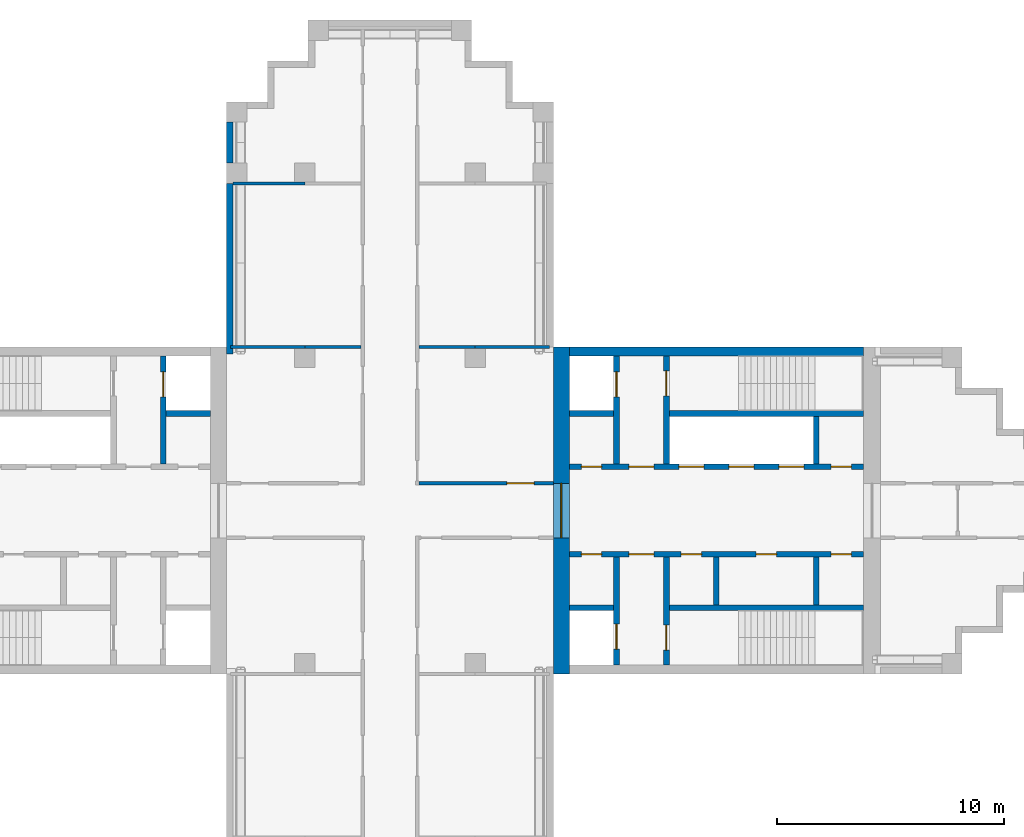
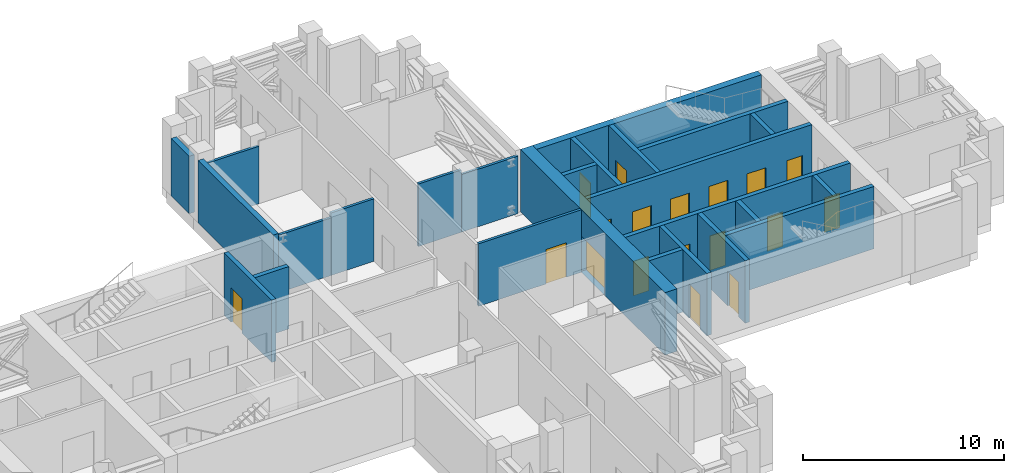
# One storey, part 5 of 8: 25 walls, 18 doors, 18 openings.
"""IFC4 building model written with IfcOpenShell, lengths in metres."""

from ifc_helpers import new_model, si_unit, direction, frame, frame_2d, origin, place, context, subcontext, project, spatial, rectangle, extrude, material, layer, layer_set, type_object, element, fill, save


model = new_model("IFC4")

# Units and contexts
model_context = context("Model", 3, precision=1e-05, world=origin(), true_north=direction((0.0, 1.0)))
body_context = subcontext(model_context, "Body", "Model", "MODEL_VIEW")
ifc_project = project(units=[si_unit("LENGTHUNIT", "METRE"), si_unit("AREAUNIT", "SQUARE_METRE"), si_unit("VOLUMEUNIT", "CUBIC_METRE"), si_unit("PLANEANGLEUNIT", "RADIAN"), si_unit("MASSUNIT", "GRAM", prefix="KILO")], contexts=[model_context])

# Site, building, storey
site_placement = place(None, origin())
site = spatial("IfcSite", under=ifc_project, at=site_placement, CompositionType="ELEMENT")
building_placement = place(site_placement, origin())
building = spatial("IfcBuilding", under=site, at=building_placement, Name="Fustian Cross Tower", CompositionType="ELEMENT")
storey_placement = place(building_placement, frame((0.0, 0.0, 194.699951171875)))
storey = spatial("IfcBuildingStorey", under=building, at=storey_placement, Name="L61", CompositionType="ELEMENT", Elevation=194.699951171875)

# Walls
ifc_material_1 = material(Name="Plasterboard on steel stud", Category="steel")
ifc_layer_1 = layer(ifc_material_1, 0.14990234375)
ifc_layer_set_1 = layer_set([ifc_layer_1], Name="Plasterboard on steel stud")
wall_type_1 = type_object("IfcWallType", Name="COMPARTMENT WALL 150 EI 60", PredefinedType="PARTITIONING", material=ifc_layer_set_1)
wall_1_placement = place(storey_placement, frame((-7.02001953125, 7.199951171875, 0.0), z_axis=(0.0, 0.0, 1.0), x_axis=(1.0, 0.0, 0.0)))
element("IfcWall", 1, at=wall_1_placement, inside=storey, type_object=wall_type_1, Name="Partition 10", PredefinedType="PARTITIONING", context=body_context, shape_type="SweptSolid", body=[
    extrude(rectangle(XDim=3.27001953125, YDim=0.14990234375, at=frame_2d((1.635009765625, 0.0))), origin(), (0.0, 0.0, 1.0), 3.5),
])
wall_2_placement = place(storey_placement, frame((-6.89990234375, 14.39990234375, 0.0), z_axis=(0.0, 0.0, 1.0), x_axis=(1.0, 0.0, 0.0)))
element("IfcWall", 2, at=wall_2_placement, inside=storey, type_object=wall_type_1, Name="Partition 11", PredefinedType="PARTITIONING", context=body_context, shape_type="SweptSolid", body=[
    extrude(rectangle(XDim=3.14990234375, YDim=0.14990234375, at=frame_2d((1.574951171875, 0.0))), origin(), (0.0, 0.0, 1.0), 3.5),
])

# Wall, opening, door
wall_3_placement = place(storey_placement, frame((1.27490234375, 1.199951171875, 0.0), z_axis=(0.0, 0.0, 1.0), x_axis=(1.0, 0.0, 0.0)))
wall_3 = element("IfcWall", 3, at=wall_3_placement, inside=storey, type_object=wall_type_1, Name="Partition 19", PredefinedType="PARTITIONING", context=body_context, shape_type="SweptSolid", body=[
    extrude(rectangle(XDim=5.925048828125, YDim=0.14990234375, at=frame_2d((2.96240234375, 0.0))), origin(), (0.0, 0.0, 1.0), 3.800048828125),
])
opening_1_placement = place(wall_3_placement, frame((3.875, 0.0, 0.0)))
opening_1 = element("IfcOpeningElement", 4, at=opening_1_placement, cuts=wall_3, Name="Opening D28003", PredefinedType="OPENING", context=body_context, shape_type="SweptSolid", body=[
    extrude(rectangle(XDim=1.199951171875, YDim=2.10009765625, at=frame_2d((0.60009765625, 1.050048828125))), frame((0.0, 0.0849609375, 0.0), z_axis=(0.0, -1.0, 0.0), x_axis=(1.0, 0.0, 0.0)), (0.0, 0.0, 1.0), 0.169921875),
])
ifc_material_2 = material(Name="Timber fire door set", Category="wood")
door_type_1 = type_object("IfcDoorType", Name="FIRE SWING DOOR 1200 FD60S", OperationType="SINGLE_SWING_LEFT", PredefinedType="DOOR", material=ifc_material_2)
door_1_placement = place(opening_1_placement, frame((1.199951171875, 0.0, 0.0), z_axis=(0.0, 0.0, 1.0), x_axis=(-1.0, 0.0, 0.0)))
door_1 = element("IfcDoor", 5, at=door_1_placement, inside=storey, type_object=door_type_1, Name="Door D28003", OperationType="SINGLE_SWING_LEFT", OverallHeight=2.10009765625, OverallWidth=1.199951171875, PredefinedType="DOOR", context=body_context, shape_type="SweptSolid", body=[
    extrude(rectangle(XDim=1.199951171875, YDim=2.10009765625, at=frame_2d((0.60009765625, 1.050048828125))), frame((0.0, 0.02490234375, 0.0), z_axis=(0.0, -1.0, 0.0), x_axis=(1.0, 0.0, 0.0)), (0.0, 0.0, 1.0), 0.050048828125),
])
fill(opening_1, door_1)

# Walls
for number, where, z_axis, x_axis, name in (
    (6, (1.27490234375, 7.199951171875, 0.0), (0.0, 0.0, 1.0), (1.0, 0.0, 0.0), "Partition 20"),
    (7, (-3.75, 7.199951171875, 0.0), (0.0, 0.0, 1.0), (1.0, 0.0, 0.0), "Partition 10"),
):
    element("IfcWall", number, at=place(storey_placement, frame(where, z_axis=z_axis, x_axis=x_axis)), inside=storey, type_object=wall_type_1, Name=name, PredefinedType="PARTITIONING", context=body_context, shape_type="SweptSolid", body=[
        extrude(rectangle(XDim=2.47509765625, YDim=0.14990234375, at=frame_2d((1.237548828125, 0.0))), origin(), (0.0, 0.0, 1.0), 3.800048828125),
    ])
wall_4_placement = place(storey_placement, frame((3.75, 7.199951171875, 0.0), z_axis=(0.0, 0.0, 1.0), x_axis=(1.0, 0.0, 0.0)))
element("IfcWall", 8, at=wall_4_placement, inside=storey, type_object=wall_type_1, Name="Partition 20", PredefinedType="PARTITIONING", context=body_context, shape_type="SweptSolid", body=[
    extrude(rectangle(XDim=3.27001953125, YDim=0.14990234375, at=frame_2d((1.635009765625, 0.0))), origin(), (0.0, 0.0, 1.0), 3.5),
])

# Wall, opening, door
ifc_material_3 = material(Name="Concrete C50/60", Category="concrete")
ifc_layer_2 = layer(ifc_material_3, 0.699951171875)
ifc_layer_set_2 = layer_set([ifc_layer_2], Name="Concrete C50/60")
wall_type_2 = type_object("IfcWallType", Name="CORE END WALL 700 C50/60", PredefinedType="SHEAR", material=ifc_layer_set_2)
wall_5_placement = place(storey_placement, frame((7.550048828125, -7.199951171875, 0.0), z_axis=(0.0, 0.0, 1.0), x_axis=(0.0, 1.0, 0.0)))
wall_5 = element("IfcWall", 9, at=wall_5_placement, inside=storey, type_object=wall_type_2, Name="Core end wall", PredefinedType="SHEAR", context=body_context, shape_type="SweptSolid", body=[
    extrude(rectangle(XDim=14.39990234375, YDim=0.699951171875, at=frame_2d((7.199951171875, 0.0))), origin(), (0.0, 0.0, 1.0), 3.800048828125),
])
opening_2_placement = place(wall_5_placement, frame((6.0, 0.0, 0.0)))
opening_2 = element("IfcOpeningElement", 10, at=opening_2_placement, cuts=wall_5, Name="Opening CD-26-12", PredefinedType="OPENING", context=body_context, shape_type="SweptSolid", body=[
    extrude(rectangle(XDim=2.39990234375, YDim=2.199951171875, at=frame_2d((1.199951171875, 1.10009765625))), frame((0.0, 0.35986328125, 0.0), z_axis=(0.0, -1.0, 0.0), x_axis=(1.0, 0.0, 0.0)), (0.0, 0.0, 1.0), 0.719970703125),
])
ifc_material_4 = material(Name="Steel", Category="steel")
door_type_2 = type_object("IfcDoorType", Name="FIRE DOOR FD30S DOUBLE 2400X2200", OperationType="DOUBLE_DOOR_DOUBLE_SWING", PredefinedType="DOOR", material=ifc_material_4)
door_2_placement = place(opening_2_placement, frame((2.39990234375, 0.0, 0.0), z_axis=(0.0, 0.0, 1.0), x_axis=(-1.0, 0.0, 0.0)))
door_2 = element("IfcDoor", 11, at=door_2_placement, inside=storey, type_object=door_type_2, Name="Core door CD-26-12", OperationType="DOUBLE_DOOR_DOUBLE_SWING", OverallHeight=2.199951171875, OverallWidth=2.39990234375, PredefinedType="DOOR", context=body_context, shape_type="SweptSolid", body=[
    extrude(rectangle(XDim=2.39990234375, YDim=2.199951171875, at=frame_2d((1.199951171875, 1.10009765625))), frame((0.0, 0.02490234375, 0.0), z_axis=(0.0, -1.0, 0.0), x_axis=(1.0, 0.0, 0.0)), (0.0, 0.0, 1.0), 0.050048828125),
])
fill(opening_2, door_2)

# Wall
ifc_material_5 = material(Name="Concrete C50/60", Category="concrete")
ifc_layer_3 = layer(ifc_material_5, 0.39990234375)
ifc_layer_set_3 = layer_set([ifc_layer_3], Name="Concrete C50/60")
wall_type_3 = type_object("IfcWallType", Name="CORE FACADE WALL 400 C50/60", PredefinedType="SHEAR", material=ifc_layer_set_3)
wall_6_placement = place(storey_placement, frame((7.89990234375, 7.0, 0.0), z_axis=(0.0, 0.0, 1.0), x_axis=(1.0, 0.0, 0.0)))
element("IfcWall", 12, at=wall_6_placement, inside=storey, type_object=wall_type_3, Name="Core facade wall", PredefinedType="SHEAR", context=body_context, shape_type="SweptSolid", body=[
    extrude(rectangle(XDim=12.9501953125, YDim=0.39990234375, at=frame_2d((6.47509765625, 0.0))), origin(), (0.0, 0.0, 1.0), 3.800048828125),
])

# Wall, openings, doors
ifc_material_6 = material(Name="Concrete C50/60", Category="concrete")
ifc_layer_4 = layer(ifc_material_6, 0.25)
ifc_layer_set_4 = layer_set([ifc_layer_4], Name="Concrete C50/60")
wall_type_4 = type_object("IfcWallType", Name="CORE LOBBY WALL 250 C50/60", PredefinedType="SHEAR", material=ifc_layer_set_4)
wall_7_placement = place(storey_placement, frame((7.89990234375, 1.925048828125, 0.0), z_axis=(0.0, 0.0, 1.0), x_axis=(1.0, 0.0, 0.0)))
wall_7 = element("IfcWall", 13, at=wall_7_placement, inside=storey, type_object=wall_type_4, Name="Core lobby wall", PredefinedType="SHEAR", context=body_context, shape_type="SweptSolid", body=[
    extrude(rectangle(XDim=12.9501953125, YDim=0.25, at=frame_2d((6.47509765625, 0.0))), origin(), (0.0, 0.0, 1.0), 3.800048828125),
])
opening_3_placement = place(wall_7_placement, frame((4.824951171875, 0.0, 0.0)))
opening_3 = element("IfcOpeningElement", 14, at=opening_3_placement, cuts=wall_7, Name="Opening LD", PredefinedType="OPENING", context=body_context, shape_type="SweptSolid", body=[
    extrude(rectangle(XDim=1.10009765625, YDim=2.10009765625, at=frame_2d((0.550048828125, 1.050048828125))), frame((0.0, 0.135009765625, 0.0), z_axis=(0.0, -1.0, 0.0), x_axis=(1.0, 0.0, 0.0)), (0.0, 0.0, 1.0), 0.27001953125),
])
opening_4_placement = place(wall_7_placement, frame((7.02490234375, 0.0, 0.0)))
opening_4 = element("IfcOpeningElement", 15, at=opening_4_placement, cuts=wall_7, Name="Opening LD", PredefinedType="OPENING", context=body_context, shape_type="SweptSolid", body=[
    extrude(rectangle(XDim=1.10009765625, YDim=2.10009765625, at=frame_2d((0.550048828125, 1.050048828125))), frame((0.0, 0.135009765625, 0.0), z_axis=(0.0, -1.0, 0.0), x_axis=(1.0, 0.0, 0.0)), (0.0, 0.0, 1.0), 0.27001953125),
])
opening_5_placement = place(wall_7_placement, frame((9.22509765625, 0.0, 0.0)))
opening_5 = element("IfcOpeningElement", 16, at=opening_5_placement, cuts=wall_7, Name="Opening LD", PredefinedType="OPENING", context=body_context, shape_type="SweptSolid", body=[
    extrude(rectangle(XDim=1.10009765625, YDim=2.10009765625, at=frame_2d((0.550048828125, 1.050048828125))), frame((0.0, 0.135009765625, 0.0), z_axis=(0.0, -1.0, 0.0), x_axis=(1.0, 0.0, 0.0)), (0.0, 0.0, 1.0), 0.27001953125),
])
opening_6_placement = place(wall_7_placement, frame((0.52490234375, 0.0, 0.0)))
opening_6 = element("IfcOpeningElement", 17, at=opening_6_placement, cuts=wall_7, Name="Opening CD-26-08", PredefinedType="OPENING", context=body_context, shape_type="SweptSolid", body=[
    extrude(rectangle(XDim=0.89990234375, YDim=2.10009765625, at=frame_2d((0.449951171875, 1.050048828125))), frame((0.0, 0.135009765625, 0.0), z_axis=(0.0, -1.0, 0.0), x_axis=(1.0, 0.0, 0.0)), (0.0, 0.0, 1.0), 0.27001953125),
])
opening_7_placement = place(wall_7_placement, frame((2.625, 0.0, 0.0)))
opening_7 = element("IfcOpeningElement", 18, at=opening_7_placement, cuts=wall_7, Name="Opening CD-26-10", PredefinedType="OPENING", context=body_context, shape_type="SweptSolid", body=[
    extrude(rectangle(XDim=1.10009765625, YDim=2.10009765625, at=frame_2d((0.550048828125, 1.050048828125))), frame((0.0, 0.135009765625, 0.0), z_axis=(0.0, -1.0, 0.0), x_axis=(1.0, 0.0, 0.0)), (0.0, 0.0, 1.0), 0.27001953125),
])
opening_8_placement = place(wall_7_placement, frame((11.52490234375, 0.0, 0.0)))
opening_8 = element("IfcOpeningElement", 19, at=opening_8_placement, cuts=wall_7, Name="Opening CD-26-14", PredefinedType="OPENING", context=body_context, shape_type="SweptSolid", body=[
    extrude(rectangle(XDim=0.89990234375, YDim=2.10009765625, at=frame_2d((0.449951171875, 1.050048828125))), frame((0.0, 0.135009765625, 0.0), z_axis=(0.0, -1.0, 0.0), x_axis=(1.0, 0.0, 0.0)), (0.0, 0.0, 1.0), 0.27001953125),
])
ifc_material_7 = material(Name="Steel", Category="steel")
door_type_3 = type_object("IfcDoorType", Name="FIRE DOOR FD30S 900X2100", OperationType="SINGLE_SWING_LEFT", PredefinedType="DOOR", material=ifc_material_7)
door_3_placement = place(opening_8_placement, origin())
door_3 = element("IfcDoor", 20, at=door_3_placement, inside=storey, type_object=door_type_3, Name="Core door CD-26-14", OperationType="SINGLE_SWING_LEFT", OverallHeight=2.10009765625, OverallWidth=0.89990234375, PredefinedType="DOOR", context=body_context, shape_type="SweptSolid", body=[
    extrude(rectangle(XDim=0.89990234375, YDim=2.10009765625, at=frame_2d((0.449951171875, 1.050048828125))), frame((0.0, 0.02490234375, 0.0), z_axis=(0.0, -1.0, 0.0), x_axis=(1.0, 0.0, 0.0)), (0.0, 0.0, 1.0), 0.050048828125),
])
fill(opening_8, door_3)
ifc_material_8 = material(Name="Steel", Category="steel")
door_type_4 = type_object("IfcDoorType", Name="FIRE DOOR FD60S 1100X2100", OperationType="SINGLE_SWING_LEFT", PredefinedType="DOOR", material=ifc_material_8)
door_4_placement = place(opening_7_placement, frame((1.10009765625, 0.0, 0.0), z_axis=(0.0, 0.0, 1.0), x_axis=(-1.0, 0.0, 0.0)))
door_4 = element("IfcDoor", 21, at=door_4_placement, inside=storey, type_object=door_type_4, Name="Core door CD-26-10", OperationType="SINGLE_SWING_RIGHT", OverallHeight=2.10009765625, OverallWidth=1.10009765625, PredefinedType="DOOR", context=body_context, shape_type="SweptSolid", body=[
    extrude(rectangle(XDim=1.10009765625, YDim=2.10009765625, at=frame_2d((0.550048828125, 1.050048828125))), frame((0.0, 0.02490234375, 0.0), z_axis=(0.0, -1.0, 0.0), x_axis=(1.0, 0.0, 0.0)), (0.0, 0.0, 1.0), 0.050048828125),
])
fill(opening_7, door_4)
ifc_material_9 = material(Name="Steel", Category="steel")
door_type_5 = type_object("IfcDoorType", Name="FIRE DOOR FD60S 900X2100", OperationType="SINGLE_SWING_LEFT", PredefinedType="DOOR", material=ifc_material_9)
door_5_placement = place(opening_6_placement, origin())
door_5 = element("IfcDoor", 22, at=door_5_placement, inside=storey, type_object=door_type_5, Name="Core door CD-26-08", OperationType="SINGLE_SWING_LEFT", OverallHeight=2.10009765625, OverallWidth=0.89990234375, PredefinedType="DOOR", context=body_context, shape_type="SweptSolid", body=[
    extrude(rectangle(XDim=0.89990234375, YDim=2.10009765625, at=frame_2d((0.449951171875, 1.050048828125))), frame((0.0, 0.02490234375, 0.0), z_axis=(0.0, -1.0, 0.0), x_axis=(1.0, 0.0, 0.0)), (0.0, 0.0, 1.0), 0.050048828125),
])
fill(opening_6, door_5)
ifc_material_10 = material(Name="Stainless steel", Category="steel")
door_type_6 = type_object("IfcDoorType", Name="LIFT LANDING DOOR 1100X2100", OperationType="SLIDING_TO_LEFT", PredefinedType="DOOR", material=ifc_material_10)
door_6_placement = place(opening_3_placement, origin())
door_6 = element("IfcDoor", 23, at=door_6_placement, inside=storey, type_object=door_type_6, Name="Landing door HR1", OperationType="SLIDING_TO_LEFT", OverallHeight=2.10009765625, OverallWidth=1.10009765625, PredefinedType="DOOR", context=body_context, shape_type="SweptSolid", body=[
    extrude(rectangle(XDim=1.10009765625, YDim=2.10009765625, at=frame_2d((0.550048828125, 1.050048828125))), frame((0.0, 0.02490234375, 0.0), z_axis=(0.0, -1.0, 0.0), x_axis=(1.0, 0.0, 0.0)), (0.0, 0.0, 1.0), 0.050048828125),
])
fill(opening_3, door_6)
door_7_placement = place(opening_4_placement, origin())
door_7 = element("IfcDoor", 24, at=door_7_placement, inside=storey, type_object=door_type_6, Name="Landing door HR2", OperationType="SLIDING_TO_LEFT", OverallHeight=2.10009765625, OverallWidth=1.10009765625, PredefinedType="DOOR", context=body_context, shape_type="SweptSolid", body=[
    extrude(rectangle(XDim=1.10009765625, YDim=2.10009765625, at=frame_2d((0.550048828125, 1.050048828125))), frame((0.0, 0.02490234375, 0.0), z_axis=(0.0, -1.0, 0.0), x_axis=(1.0, 0.0, 0.0)), (0.0, 0.0, 1.0), 0.050048828125),
])
fill(opening_4, door_7)
door_8_placement = place(opening_5_placement, origin())
door_8 = element("IfcDoor", 25, at=door_8_placement, inside=storey, type_object=door_type_6, Name="Landing door HR3", OperationType="SLIDING_TO_LEFT", OverallHeight=2.10009765625, OverallWidth=1.10009765625, PredefinedType="DOOR", context=body_context, shape_type="SweptSolid", body=[
    extrude(rectangle(XDim=1.10009765625, YDim=2.10009765625, at=frame_2d((0.550048828125, 1.050048828125))), frame((0.0, 0.02490234375, 0.0), z_axis=(0.0, -1.0, 0.0), x_axis=(1.0, 0.0, 0.0)), (0.0, 0.0, 1.0), 0.050048828125),
])
fill(opening_5, door_8)

wall_8_placement = place(storey_placement, frame((7.89990234375, -1.925048828125, 0.0), z_axis=(0.0, 0.0, 1.0), x_axis=(1.0, 0.0, 0.0)))
wall_8 = element("IfcWall", 26, at=wall_8_placement, inside=storey, type_object=wall_type_4, Name="Core lobby wall", PredefinedType="SHEAR", context=body_context, shape_type="SweptSolid", body=[
    extrude(rectangle(XDim=12.9501953125, YDim=0.25, at=frame_2d((6.47509765625, 0.0))), origin(), (0.0, 0.0, 1.0), 3.800048828125),
])
opening_9_placement = place(wall_8_placement, frame((0.52490234375, 0.0, 0.0)))
opening_9 = element("IfcOpeningElement", 27, at=opening_9_placement, cuts=wall_8, Name="Opening CD-26-09", PredefinedType="OPENING", context=body_context, shape_type="SweptSolid", body=[
    extrude(rectangle(XDim=0.89990234375, YDim=2.10009765625, at=frame_2d((0.449951171875, 1.050048828125))), frame((0.0, 0.135009765625, 0.0), z_axis=(0.0, -1.0, 0.0), x_axis=(1.0, 0.0, 0.0)), (0.0, 0.0, 1.0), 0.27001953125),
])
opening_10_placement = place(wall_8_placement, frame((2.625, 0.0, 0.0)))
opening_10 = element("IfcOpeningElement", 28, at=opening_10_placement, cuts=wall_8, Name="Opening CD-26-11", PredefinedType="OPENING", context=body_context, shape_type="SweptSolid", body=[
    extrude(rectangle(XDim=1.10009765625, YDim=2.10009765625, at=frame_2d((0.550048828125, 1.050048828125))), frame((0.0, 0.135009765625, 0.0), z_axis=(0.0, -1.0, 0.0), x_axis=(1.0, 0.0, 0.0)), (0.0, 0.0, 1.0), 0.27001953125),
])
opening_11_placement = place(wall_8_placement, frame((4.925048828125, 0.0, 0.0)))
opening_11 = element("IfcOpeningElement", 29, at=opening_11_placement, cuts=wall_8, Name="Opening CD-26-15", PredefinedType="OPENING", context=body_context, shape_type="SweptSolid", body=[
    extrude(rectangle(XDim=0.89990234375, YDim=2.10009765625, at=frame_2d((0.449951171875, 1.050048828125))), frame((0.0, 0.135009765625, 0.0), z_axis=(0.0, -1.0, 0.0), x_axis=(1.0, 0.0, 0.0)), (0.0, 0.0, 1.0), 0.27001953125),
])
opening_12_placement = place(wall_8_placement, frame((8.22509765625, 0.0, 0.0)))
opening_12 = element("IfcOpeningElement", 30, at=opening_12_placement, cuts=wall_8, Name="Opening CD-26-16", PredefinedType="OPENING", context=body_context, shape_type="SweptSolid", body=[
    extrude(rectangle(XDim=0.89990234375, YDim=2.10009765625, at=frame_2d((0.449951171875, 1.050048828125))), frame((0.0, 0.135009765625, 0.0), z_axis=(0.0, -1.0, 0.0), x_axis=(1.0, 0.0, 0.0)), (0.0, 0.0, 1.0), 0.27001953125),
])
opening_13_placement = place(wall_8_placement, frame((11.52490234375, 0.0, 0.0)))
opening_13 = element("IfcOpeningElement", 31, at=opening_13_placement, cuts=wall_8, Name="Opening CD-26-17", PredefinedType="OPENING", context=body_context, shape_type="SweptSolid", body=[
    extrude(rectangle(XDim=0.89990234375, YDim=2.10009765625, at=frame_2d((0.449951171875, 1.050048828125))), frame((0.0, 0.135009765625, 0.0), z_axis=(0.0, -1.0, 0.0), x_axis=(1.0, 0.0, 0.0)), (0.0, 0.0, 1.0), 0.27001953125),
])
ifc_material_11 = material(Name="Steel", Category="steel")
door_type_7 = type_object("IfcDoorType", Name="FIRE DOOR FD30S 1100X2100", OperationType="SINGLE_SWING_LEFT", PredefinedType="DOOR", material=ifc_material_11)
door_9_placement = place(opening_10_placement, frame((1.10009765625, 0.0, 0.0), z_axis=(0.0, 0.0, 1.0), x_axis=(-1.0, 0.0, 0.0)))
door_9 = element("IfcDoor", 32, at=door_9_placement, inside=storey, type_object=door_type_7, Name="Core door CD-26-11", OperationType="SINGLE_SWING_RIGHT", OverallHeight=2.10009765625, OverallWidth=1.10009765625, PredefinedType="DOOR", context=body_context, shape_type="SweptSolid", body=[
    extrude(rectangle(XDim=1.10009765625, YDim=2.10009765625, at=frame_2d((0.550048828125, 1.050048828125))), frame((0.0, 0.02490234375, 0.0), z_axis=(0.0, -1.0, 0.0), x_axis=(1.0, 0.0, 0.0)), (0.0, 0.0, 1.0), 0.050048828125),
])
fill(opening_10, door_9)
door_10_placement = place(opening_9_placement, frame((0.89990234375, 0.0, 0.0), z_axis=(0.0, 0.0, 1.0), x_axis=(-1.0, 0.0, 0.0)))
door_10 = element("IfcDoor", 33, at=door_10_placement, inside=storey, type_object=door_type_3, Name="Core door CD-26-09", OperationType="SINGLE_SWING_RIGHT", OverallHeight=2.10009765625, OverallWidth=0.89990234375, PredefinedType="DOOR", context=body_context, shape_type="SweptSolid", body=[
    extrude(rectangle(XDim=0.89990234375, YDim=2.10009765625, at=frame_2d((0.449951171875, 1.050048828125))), frame((0.0, 0.02490234375, 0.0), z_axis=(0.0, -1.0, 0.0), x_axis=(1.0, 0.0, 0.0)), (0.0, 0.0, 1.0), 0.050048828125),
])
fill(opening_9, door_10)
door_11_placement = place(opening_11_placement, frame((0.89990234375, 0.0, 0.0), z_axis=(0.0, 0.0, 1.0), x_axis=(-1.0, 0.0, 0.0)))
door_11 = element("IfcDoor", 34, at=door_11_placement, inside=storey, type_object=door_type_3, Name="Core door CD-26-15", OperationType="SINGLE_SWING_RIGHT", OverallHeight=2.10009765625, OverallWidth=0.89990234375, PredefinedType="DOOR", context=body_context, shape_type="SweptSolid", body=[
    extrude(rectangle(XDim=0.89990234375, YDim=2.10009765625, at=frame_2d((0.449951171875, 1.050048828125))), frame((0.0, 0.02490234375, 0.0), z_axis=(0.0, -1.0, 0.0), x_axis=(1.0, 0.0, 0.0)), (0.0, 0.0, 1.0), 0.050048828125),
])
fill(opening_11, door_11)
door_12_placement = place(opening_12_placement, frame((0.89990234375, 0.0, 0.0), z_axis=(0.0, 0.0, 1.0), x_axis=(-1.0, 0.0, 0.0)))
door_12 = element("IfcDoor", 35, at=door_12_placement, inside=storey, type_object=door_type_3, Name="Core door CD-26-16", OperationType="SINGLE_SWING_LEFT", OverallHeight=2.10009765625, OverallWidth=0.89990234375, PredefinedType="DOOR", context=body_context, shape_type="SweptSolid", body=[
    extrude(rectangle(XDim=0.89990234375, YDim=2.10009765625, at=frame_2d((0.449951171875, 1.050048828125))), frame((0.0, 0.02490234375, 0.0), z_axis=(0.0, -1.0, 0.0), x_axis=(1.0, 0.0, 0.0)), (0.0, 0.0, 1.0), 0.050048828125),
])
fill(opening_12, door_12)
door_13_placement = place(opening_13_placement, frame((0.89990234375, 0.0, 0.0), z_axis=(0.0, 0.0, 1.0), x_axis=(-1.0, 0.0, 0.0)))
door_13 = element("IfcDoor", 36, at=door_13_placement, inside=storey, type_object=door_type_3, Name="Core door CD-26-17", OperationType="SINGLE_SWING_RIGHT", OverallHeight=2.10009765625, OverallWidth=0.89990234375, PredefinedType="DOOR", context=body_context, shape_type="SweptSolid", body=[
    extrude(rectangle(XDim=0.89990234375, YDim=2.10009765625, at=frame_2d((0.449951171875, 1.050048828125))), frame((0.0, 0.02490234375, 0.0), z_axis=(0.0, -1.0, 0.0), x_axis=(1.0, 0.0, 0.0)), (0.0, 0.0, 1.0), 0.050048828125),
])
fill(opening_13, door_13)

# Walls
ifc_material_12 = material(Name="Concrete C50/60", Category="concrete")
ifc_layer_5 = layer(ifc_material_12, 0.25)
ifc_layer_set_5 = layer_set([ifc_layer_5], Name="Concrete C50/60")
wall_type_5 = type_object("IfcWallType", Name="CORE SHAFT WALL 250 C50/60", PredefinedType="SHEAR", material=ifc_layer_set_5)
wall_9_placement = place(storey_placement, frame((7.89990234375, 4.27490234375, 0.0), z_axis=(0.0, 0.0, 1.0), x_axis=(1.0, 0.0, 0.0)))
element("IfcWall", 37, at=wall_9_placement, inside=storey, type_object=wall_type_5, Name="Core shaft wall", PredefinedType="SHEAR", context=body_context, shape_type="SweptSolid", body=[
    extrude(rectangle(XDim=1.9501953125, YDim=0.25, at=frame_2d((0.97509765625, 0.0))), origin(), (0.0, 0.0, 1.0), 3.800048828125),
])
wall_10_placement = place(storey_placement, frame((12.300048828125, 4.27490234375, 0.0), z_axis=(0.0, 0.0, 1.0), x_axis=(1.0, 0.0, 0.0)))
element("IfcWall", 38, at=wall_10_placement, inside=storey, type_object=wall_type_5, Name="Core shaft wall", PredefinedType="SHEAR", context=body_context, shape_type="SweptSolid", body=[
    extrude(rectangle(XDim=8.550048828125, YDim=0.25, at=frame_2d((4.27490234375, 0.0))), origin(), (0.0, 0.0, 1.0), 3.800048828125),
])

# Wall, opening, door
wall_11_placement = place(storey_placement, frame((9.97509765625, 2.050048828125, 0.0), z_axis=(0.0, 0.0, 1.0), x_axis=(0.0, 1.0, 0.0)))
wall_11 = element("IfcWall", 39, at=wall_11_placement, inside=storey, type_object=wall_type_5, Name="Core shaft wall", PredefinedType="SHEAR", context=body_context, shape_type="SweptSolid", body=[
    extrude(rectangle(XDim=4.75, YDim=0.25, at=frame_2d((2.375, 0.0))), origin(), (0.0, 0.0, 1.0), 3.800048828125),
])
opening_14_placement = place(wall_11_placement, frame((2.949951171875, 0.0, 0.0)))
opening_14 = element("IfcOpeningElement", 40, at=opening_14_placement, cuts=wall_11, Name="Opening LD", PredefinedType="OPENING", context=body_context, shape_type="SweptSolid", body=[
    extrude(rectangle(XDim=1.10009765625, YDim=2.10009765625, at=frame_2d((0.550048828125, 1.050048828125))), frame((0.0, 0.135009765625, 0.0), z_axis=(0.0, -1.0, 0.0), x_axis=(1.0, 0.0, 0.0)), (0.0, 0.0, 1.0), 0.27001953125),
])
door_14_placement = place(opening_14_placement, origin())
door_14 = element("IfcDoor", 41, at=door_14_placement, inside=storey, type_object=door_type_6, Name="Landing door FL1", OperationType="SLIDING_TO_LEFT", OverallHeight=2.10009765625, OverallWidth=1.10009765625, PredefinedType="DOOR", context=body_context, shape_type="SweptSolid", body=[
    extrude(rectangle(XDim=1.10009765625, YDim=2.10009765625, at=frame_2d((0.550048828125, 1.050048828125))), frame((0.0, 0.02490234375, 0.0), z_axis=(0.0, -1.0, 0.0), x_axis=(1.0, 0.0, 0.0)), (0.0, 0.0, 1.0), 0.050048828125),
])
fill(opening_14, door_14)

wall_12_placement = place(storey_placement, frame((12.175048828125, 2.050048828125, 0.0), z_axis=(0.0, 0.0, 1.0), x_axis=(0.0, 1.0, 0.0)))
wall_12 = element("IfcWall", 42, at=wall_12_placement, inside=storey, type_object=wall_type_5, Name="Core shaft wall", PredefinedType="SHEAR", context=body_context, shape_type="SweptSolid", body=[
    extrude(rectangle(XDim=4.75, YDim=0.25, at=frame_2d((2.375, 0.0))), origin(), (0.0, 0.0, 1.0), 3.800048828125),
])
opening_15_placement = place(wall_12_placement, frame((3.0, 0.0, 0.0)))
opening_15 = element("IfcOpeningElement", 43, at=opening_15_placement, cuts=wall_12, Name="Opening CD-26-06", PredefinedType="OPENING", context=body_context, shape_type="SweptSolid", body=[
    extrude(rectangle(XDim=1.10009765625, YDim=2.10009765625, at=frame_2d((0.550048828125, 1.050048828125))), frame((0.0, 0.135009765625, 0.0), z_axis=(0.0, -1.0, 0.0), x_axis=(1.0, 0.0, 0.0)), (0.0, 0.0, 1.0), 0.27001953125),
])
door_15_placement = place(opening_15_placement, frame((1.10009765625, 0.0, 0.0), z_axis=(0.0, 0.0, 1.0), x_axis=(-1.0, 0.0, 0.0)))
door_15 = element("IfcDoor", 44, at=door_15_placement, inside=storey, type_object=door_type_4, Name="Core door CD-26-06", OperationType="SINGLE_SWING_RIGHT", OverallHeight=2.10009765625, OverallWidth=1.10009765625, PredefinedType="DOOR", context=body_context, shape_type="SweptSolid", body=[
    extrude(rectangle(XDim=1.10009765625, YDim=2.10009765625, at=frame_2d((0.550048828125, 1.050048828125))), frame((0.0, 0.02490234375, 0.0), z_axis=(0.0, -1.0, 0.0), x_axis=(1.0, 0.0, 0.0)), (0.0, 0.0, 1.0), 0.050048828125),
])
fill(opening_15, door_15)

# Walls
wall_13_placement = place(storey_placement, frame((7.89990234375, -4.27490234375, 0.0), z_axis=(0.0, 0.0, 1.0), x_axis=(1.0, 0.0, 0.0)))
element("IfcWall", 45, at=wall_13_placement, inside=storey, type_object=wall_type_5, Name="Core shaft wall", PredefinedType="SHEAR", context=body_context, shape_type="SweptSolid", body=[
    extrude(rectangle(XDim=1.9501953125, YDim=0.25, at=frame_2d((0.97509765625, 0.0))), origin(), (0.0, 0.0, 1.0), 3.800048828125),
])
wall_14_placement = place(storey_placement, frame((12.300048828125, -4.27490234375, 0.0), z_axis=(0.0, 0.0, 1.0), x_axis=(1.0, 0.0, 0.0)))
element("IfcWall", 46, at=wall_14_placement, inside=storey, type_object=wall_type_5, Name="Core shaft wall", PredefinedType="SHEAR", context=body_context, shape_type="SweptSolid", body=[
    extrude(rectangle(XDim=8.550048828125, YDim=0.25, at=frame_2d((4.27490234375, 0.0))), origin(), (0.0, 0.0, 1.0), 3.800048828125),
])

# Wall, opening, door
wall_15_placement = place(storey_placement, frame((9.97509765625, -2.050048828125, 0.0), z_axis=(0.0, 0.0, 1.0), x_axis=(0.0, -1.0, 0.0)))
wall_15 = element("IfcWall", 47, at=wall_15_placement, inside=storey, type_object=wall_type_5, Name="Core shaft wall", PredefinedType="SHEAR", context=body_context, shape_type="SweptSolid", body=[
    extrude(rectangle(XDim=4.75, YDim=0.25, at=frame_2d((2.375, 0.0))), origin(), (0.0, 0.0, 1.0), 3.800048828125),
])
opening_16_placement = place(wall_15_placement, frame((2.949951171875, 0.0, 0.0)))
opening_16 = element("IfcOpeningElement", 48, at=opening_16_placement, cuts=wall_15, Name="Opening LD", PredefinedType="OPENING", context=body_context, shape_type="SweptSolid", body=[
    extrude(rectangle(XDim=1.10009765625, YDim=2.10009765625, at=frame_2d((0.550048828125, 1.050048828125))), frame((0.0, 0.135009765625, 0.0), z_axis=(0.0, -1.0, 0.0), x_axis=(1.0, 0.0, 0.0)), (0.0, 0.0, 1.0), 0.27001953125),
])
door_16_placement = place(opening_16_placement, origin())
door_16 = element("IfcDoor", 49, at=door_16_placement, inside=storey, type_object=door_type_6, Name="Landing door SV1", OperationType="SLIDING_TO_LEFT", OverallHeight=2.10009765625, OverallWidth=1.10009765625, PredefinedType="DOOR", context=body_context, shape_type="SweptSolid", body=[
    extrude(rectangle(XDim=1.10009765625, YDim=2.10009765625, at=frame_2d((0.550048828125, 1.050048828125))), frame((0.0, 0.02490234375, 0.0), z_axis=(0.0, -1.0, 0.0), x_axis=(1.0, 0.0, 0.0)), (0.0, 0.0, 1.0), 0.050048828125),
])
fill(opening_16, door_16)

wall_16_placement = place(storey_placement, frame((12.175048828125, -2.050048828125, 0.0), z_axis=(0.0, 0.0, 1.0), x_axis=(0.0, -1.0, 0.0)))
wall_16 = element("IfcWall", 50, at=wall_16_placement, inside=storey, type_object=wall_type_5, Name="Core shaft wall", PredefinedType="SHEAR", context=body_context, shape_type="SweptSolid", body=[
    extrude(rectangle(XDim=4.75, YDim=0.25, at=frame_2d((2.375, 0.0))), origin(), (0.0, 0.0, 1.0), 3.800048828125),
])
opening_17_placement = place(wall_16_placement, frame((3.0, 0.0, 0.0)))
opening_17 = element("IfcOpeningElement", 51, at=opening_17_placement, cuts=wall_16, Name="Opening CD-26-07", PredefinedType="OPENING", context=body_context, shape_type="SweptSolid", body=[
    extrude(rectangle(XDim=1.10009765625, YDim=2.10009765625, at=frame_2d((0.550048828125, 1.050048828125))), frame((0.0, 0.135009765625, 0.0), z_axis=(0.0, -1.0, 0.0), x_axis=(1.0, 0.0, 0.0)), (0.0, 0.0, 1.0), 0.27001953125),
])
door_17_placement = place(opening_17_placement, origin())
door_17 = element("IfcDoor", 52, at=door_17_placement, inside=storey, type_object=door_type_4, Name="Core door CD-26-07", OperationType="SINGLE_SWING_LEFT", OverallHeight=2.10009765625, OverallWidth=1.10009765625, PredefinedType="DOOR", context=body_context, shape_type="SweptSolid", body=[
    extrude(rectangle(XDim=1.10009765625, YDim=2.10009765625, at=frame_2d((0.550048828125, 1.050048828125))), frame((0.0, 0.02490234375, 0.0), z_axis=(0.0, -1.0, 0.0), x_axis=(1.0, 0.0, 0.0)), (0.0, 0.0, 1.0), 0.050048828125),
])
fill(opening_17, door_17)

# Wall
wall_17_placement = place(storey_placement, frame((-7.89990234375, 4.27490234375, 0.0), z_axis=(0.0, 0.0, 1.0), x_axis=(-1.0, 0.0, 0.0)))
element("IfcWall", 53, at=wall_17_placement, inside=storey, type_object=wall_type_5, Name="Core shaft wall", PredefinedType="SHEAR", context=body_context, shape_type="SweptSolid", body=[
    extrude(rectangle(XDim=1.9501953125, YDim=0.25, at=frame_2d((0.97509765625, 0.0))), origin(), (0.0, 0.0, 1.0), 3.800048828125),
])

# Wall, opening, door
wall_18_placement = place(storey_placement, frame((-9.97509765625, 2.050048828125, 0.0), z_axis=(0.0, 0.0, 1.0), x_axis=(0.0, 1.0, 0.0)))
wall_18 = element("IfcWall", 54, at=wall_18_placement, inside=storey, type_object=wall_type_5, Name="Core shaft wall", PredefinedType="SHEAR", context=body_context, shape_type="SweptSolid", body=[
    extrude(rectangle(XDim=4.75, YDim=0.25, at=frame_2d((2.375, 0.0))), origin(), (0.0, 0.0, 1.0), 3.800048828125),
])
opening_18_placement = place(wall_18_placement, frame((2.949951171875, 0.0, 0.0)))
opening_18 = element("IfcOpeningElement", 55, at=opening_18_placement, cuts=wall_18, Name="Opening LD", PredefinedType="OPENING", context=body_context, shape_type="SweptSolid", body=[
    extrude(rectangle(XDim=1.10009765625, YDim=2.10009765625, at=frame_2d((0.550048828125, 1.050048828125))), frame((0.0, 0.135009765625, 0.0), z_axis=(0.0, -1.0, 0.0), x_axis=(1.0, 0.0, 0.0)), (0.0, 0.0, 1.0), 0.27001953125),
])
door_18_placement = place(opening_18_placement, origin())
door_18 = element("IfcDoor", 56, at=door_18_placement, inside=storey, type_object=door_type_6, Name="Landing door FL1W", OperationType="SLIDING_TO_LEFT", OverallHeight=2.10009765625, OverallWidth=1.10009765625, PredefinedType="DOOR", context=body_context, shape_type="SweptSolid", body=[
    extrude(rectangle(XDim=1.10009765625, YDim=2.10009765625, at=frame_2d((0.550048828125, 1.050048828125))), frame((0.0, 0.02490234375, 0.0), z_axis=(0.0, -1.0, 0.0), x_axis=(1.0, 0.0, 0.0)), (0.0, 0.0, 1.0), 0.050048828125),
])
fill(opening_18, door_18)

# Walls
ifc_material_13 = material(Name="Concrete C40/50", Category="concrete")
ifc_layer_6 = layer(ifc_material_13, 0.25)
ifc_layer_set_6 = layer_set([ifc_layer_6], Name="Concrete C40/50")
wall_type_6 = type_object("IfcWallType", Name="SHAFT PARTITION WALL 250 C40/50", PredefinedType="PARTITIONING", material=ifc_layer_set_6)
for number, where, z_axis, x_axis, name in (
    (57, (18.77490234375, 2.050048828125, 0.0), (0.0, 0.0, 1.0), (0.0, 1.0, 0.0), "Core shaft wall"),
    (58, (14.375, -2.050048828125, 0.0), (0.0, 0.0, 1.0), (0.0, -1.0, 0.0), "Core shaft wall"),
    (59, (18.77490234375, -2.050048828125, 0.0), (0.0, 0.0, 1.0), (0.0, -1.0, 0.0), "Core shaft wall"),
):
    element("IfcWall", number, at=place(storey_placement, frame(where, z_axis=z_axis, x_axis=x_axis)), inside=storey, type_object=wall_type_6, Name=name, PredefinedType="PARTITIONING", context=body_context, shape_type="SweptSolid", body=[
        extrude(rectangle(XDim=2.099853515625, YDim=0.25, at=frame_2d((1.0498046875, 0.0))), origin(), (0.0, 0.0, 1.0), 3.800048828125),
    ])
ifc_material_14 = material(Name="Dark aluminium louvres on insulated backing wall", Category="aluminium")
ifc_layer_7 = layer(ifc_material_14, 0.300048828125)
ifc_layer_set_7 = layer_set([ifc_layer_7], Name="Dark aluminium louvres on insulated backing wall")
wall_type_7 = type_object("IfcWallType", Name="XW2 LOUVRED PLANT WALL 300", PredefinedType="SOLIDWALL", material=ifc_layer_set_7)
wall_19_placement = place(storey_placement, frame((-7.050048828125, 17.10009765625, 0.0), z_axis=(0.0, 0.0, 1.0), x_axis=(0.0, -1.0, 0.0)))
element("IfcWall", 60, at=wall_19_placement, inside=storey, type_object=wall_type_7, Name="Plant louvre wall", PredefinedType="SOLIDWALL", context=body_context, shape_type="SweptSolid", body=[
    extrude(rectangle(XDim=1.800048828125, YDim=0.300048828125, at=frame_2d((0.89990234375, 0.0))), origin(), (0.0, 0.0, 1.0), 3.5),
])
wall_20_placement = place(storey_placement, frame((-7.050048828125, 14.39990234375, 0.0), z_axis=(0.0, 0.0, 1.0), x_axis=(0.0, -1.0, 0.0)))
element("IfcWall", 61, at=wall_20_placement, inside=storey, type_object=wall_type_7, Name="Plant louvre wall", PredefinedType="SOLIDWALL", context=body_context, shape_type="SweptSolid", body=[
    extrude(rectangle(XDim=7.5, YDim=0.300048828125, at=frame_2d((3.75, 0.0))), origin(), (0.0, 0.0, 1.0), 3.800048828125),
])

save(model, "model.ifc")
